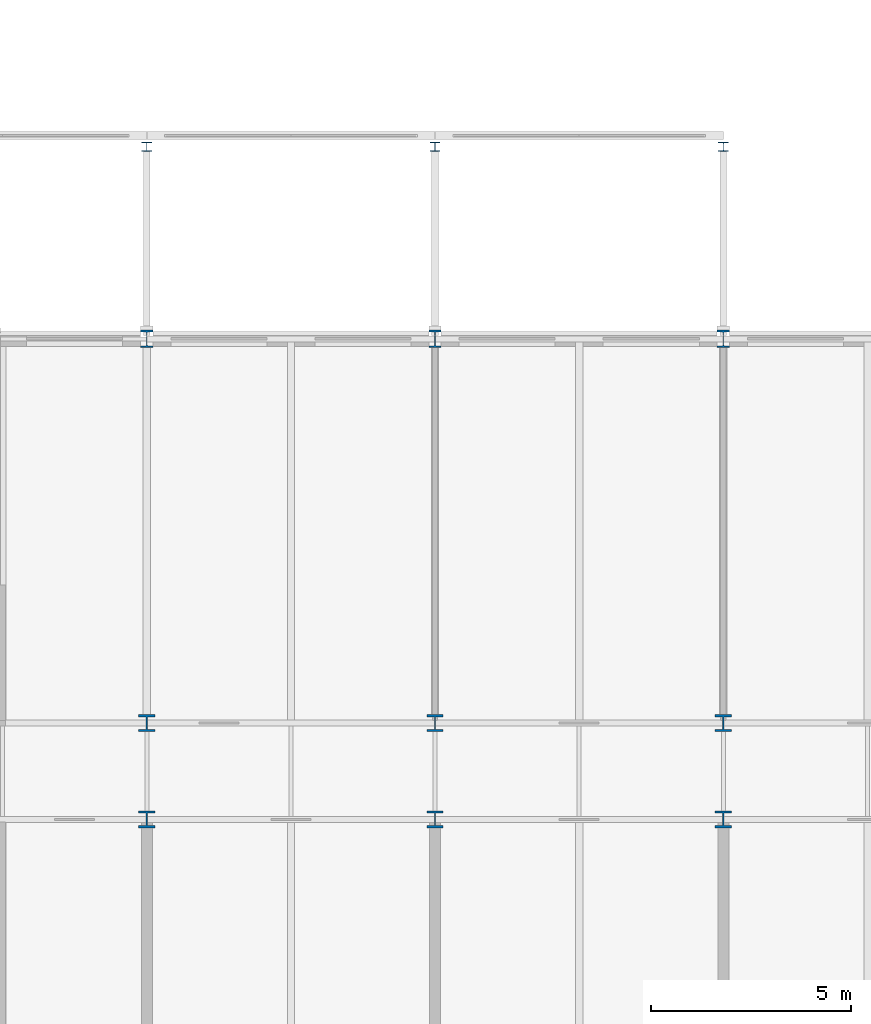
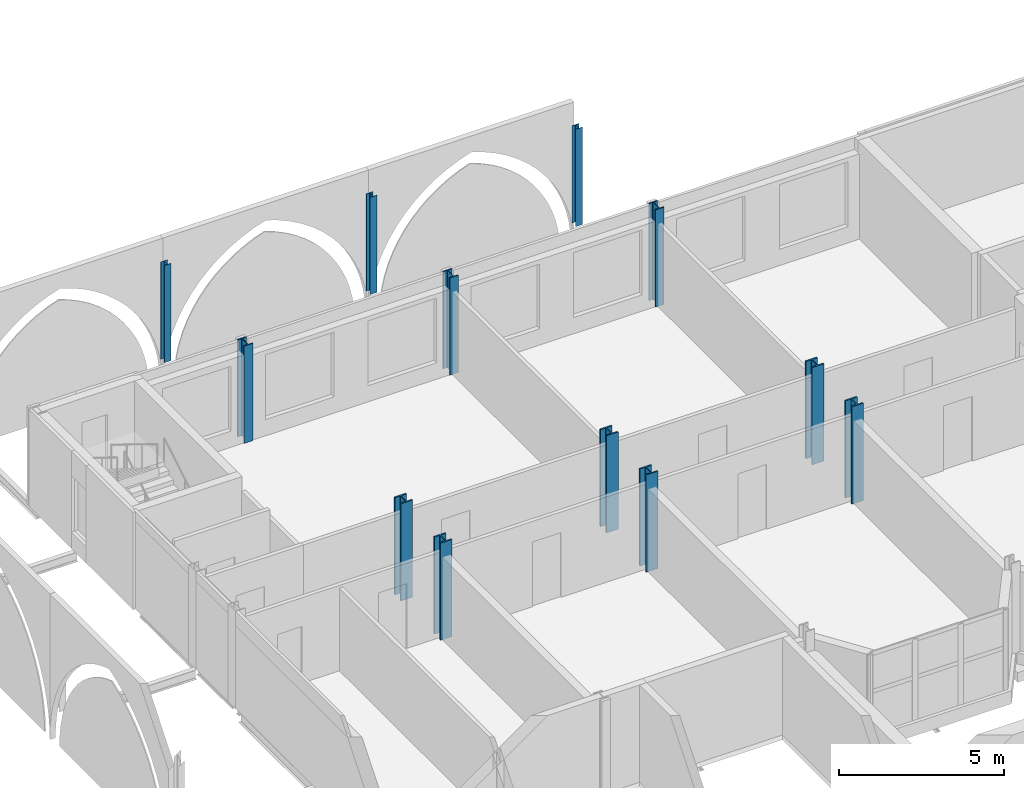
# One storey, part 13 of 142: 12 columns.
"""IFC4 building model written with IfcOpenShell, lengths in metres."""

from ifc_helpers import new_model, si_unit, direction, frame, origin, origin_2d, place, context, subcontext, project, spatial, i_section, extrude, material, material_profile, profile_set, type_object, element, save


model = new_model("IFC4")

# Units and contexts
model_context = context("Model", 3, precision=1e-05, world=origin(), true_north=direction((0.0, 1.0)))
body_context = subcontext(model_context, "Body", "Model", "MODEL_VIEW")
ifc_project = project(units=[si_unit("LENGTHUNIT", "METRE"), si_unit("AREAUNIT", "SQUARE_METRE"), si_unit("VOLUMEUNIT", "CUBIC_METRE"), si_unit("PLANEANGLEUNIT", "RADIAN"), si_unit("MASSUNIT", "GRAM", prefix="KILO")], contexts=[model_context])

# Site, building, storey
site_placement = place(None, origin())
site = spatial("IfcSite", under=ifc_project, at=site_placement, CompositionType="ELEMENT")
building_placement = place(site_placement, origin())
building = spatial("IfcBuilding", under=site, at=building_placement, Name="Kupolbacken Congress Centre", CompositionType="ELEMENT")
storey_placement = place(building_placement, frame((0.0, 0.0, 14.39990234375)))
storey = spatial("IfcBuildingStorey", under=building, at=storey_placement, Name="L04", CompositionType="ELEMENT", Elevation=14.39990234375)

# Columns
ifc_material_1 = material(Name="Steel S355", Category="steel")
ifc_material_profile_1 = material_profile(ifc_material_1, i_section(OverallWidth=0.408935546875, OverallDepth=0.425048828125, WebThickness=0.03271484375, FlangeThickness=0.052490234375, FilletRadius=0.014892578125, at=origin_2d()), Name="HD 400 x 421")
ifc_profile_set_1 = profile_set([ifc_material_profile_1], Name="Steel S355")
column_type_1 = type_object("IfcColumnType", Name="C01 column HD 400 x 421", PredefinedType="COLUMN", material=ifc_profile_set_1)
for number, where, z_axis, x_axis, name in (
    (1, (72.0, 132.0, 0.0), (0.0, 0.0, 1.0), (1.0, 0.0, 0.0), "S/col/C-T-11U+2400/L04"),
    (2, (72.0, 134.39990234375, 0.0), (0.0, 0.0, 1.0), (1.0, 0.0, 0.0), "S/col/C-T-11U+4800/L04"),
    (3, (79.199951171875, 132.0, 0.0), (0.0, 0.0, 1.0), (1.0, 0.0, 0.0), "S/col/C-T-12U+2400/L04"),
    (4, (79.199951171875, 134.39990234375, 0.0), (0.0, 0.0, 1.0), (1.0, 0.0, 0.0), "S/col/C-T-12U+4800/L04"),
    (5, (86.39990234375, 132.0, 0.0), (0.0, 0.0, 1.0), (1.0, 0.0, 0.0), "S/col/C-T-13U+2400/L04"),
    (6, (86.39990234375, 134.39990234375, 0.0), (0.0, 0.0, 1.0), (1.0, 0.0, 0.0), "S/col/C-T-13U+4800/L04"),
):
    element("IfcColumn", number, at=place(storey_placement, frame(where, z_axis=z_axis, x_axis=x_axis)), inside=storey, type_object=column_type_1, Name=name, PredefinedType="COLUMN", context=body_context, shape_type="SweptSolid", body=[
        extrude(i_section(OverallWidth=0.408935546875, OverallDepth=0.425048828125, WebThickness=0.03271484375, FlangeThickness=0.052490234375, FilletRadius=0.014892578125, at=origin_2d()), origin(), (0.0, 0.0, 1.0), 3.60009765625),
    ])
ifc_material_2 = material(Name="Steel S355", Category="steel")
ifc_material_profile_2 = material_profile(ifc_material_2, i_section(OverallWidth=0.306884765625, OverallDepth=0.431884765625, WebThickness=0.02099609375, FlangeThickness=0.0400390625, FilletRadius=0.027099609375, at=origin_2d()), Name="HEM 400")
ifc_profile_set_2 = profile_set([ifc_material_profile_2], Name="Steel S355")
column_type_2 = type_object("IfcColumnType", Name="C02 column HEM 400", PredefinedType="COLUMN", material=ifc_profile_set_2)
for number, where, z_axis, x_axis, name in (
    (7, (72.0, 144.0, 0.0), (0.0, 0.0, 1.0), (1.0, 0.0, 0.0), "S/col/C-T-11W/L04"),
    (8, (79.199951171875, 144.0, 0.0), (0.0, 0.0, 1.0), (1.0, 0.0, 0.0), "S/col/C-T-12W/L04"),
    (9, (86.39990234375, 144.0, 0.0), (0.0, 0.0, 1.0), (1.0, 0.0, 0.0), "S/col/C-T-13W/L04"),
):
    element("IfcColumn", number, at=place(storey_placement, frame(where, z_axis=z_axis, x_axis=x_axis)), inside=storey, type_object=column_type_2, Name=name, PredefinedType="COLUMN", context=body_context, shape_type="SweptSolid", body=[
        extrude(i_section(OverallWidth=0.306884765625, OverallDepth=0.431884765625, WebThickness=0.02099609375, FlangeThickness=0.0400390625, FilletRadius=0.027099609375, at=origin_2d()), origin(), (0.0, 0.0, 1.0), 3.60009765625),
    ])
ifc_material_3 = material(Name="Steel S355", Category="steel")
ifc_material_profile_3 = material_profile(ifc_material_3, i_section(OverallWidth=0.239990234375, OverallDepth=0.22998046875, WebThickness=0.007568359375, FlangeThickness=0.011962890625, FilletRadius=0.02099609375, at=origin_2d()), Name="HEA 240")
ifc_profile_set_3 = profile_set([ifc_material_profile_3], Name="Steel S355")
column_type_3 = type_object("IfcColumnType", Name="C10 column HEA 240", PredefinedType="COLUMN", material=ifc_profile_set_3)
for number, where, z_axis, x_axis, name in (
    (10, (72.0, 148.800048828125, 0.0), (0.0, 0.0, 1.0), (1.0, 0.0, 0.0), "E/T/portico/N/col72/L04"),
    (11, (79.199951171875, 148.800048828125, 0.0), (0.0, 0.0, 1.0), (1.0, 0.0, 0.0), "E/T/portico/N/col79.2/L04"),
    (12, (86.39990234375, 148.800048828125, 0.0), (0.0, 0.0, 1.0), (1.0, 0.0, 0.0), "E/T/portico/N/col86.4/L04"),
):
    element("IfcColumn", number, at=place(storey_placement, frame(where, z_axis=z_axis, x_axis=x_axis)), inside=storey, type_object=column_type_3, Name=name, PredefinedType="COLUMN", context=body_context, shape_type="SweptSolid", body=[
        extrude(i_section(OverallWidth=0.239990234375, OverallDepth=0.22998046875, WebThickness=0.007568359375, FlangeThickness=0.011962890625, FilletRadius=0.02099609375, at=origin_2d()), origin(), (0.0, 0.0, 1.0), 3.60009765625),
    ])

save(model, "model.ifc")
